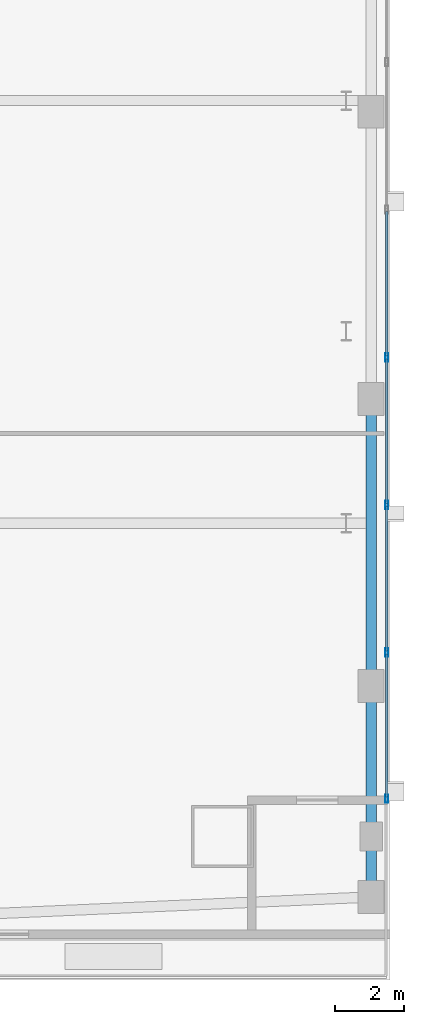
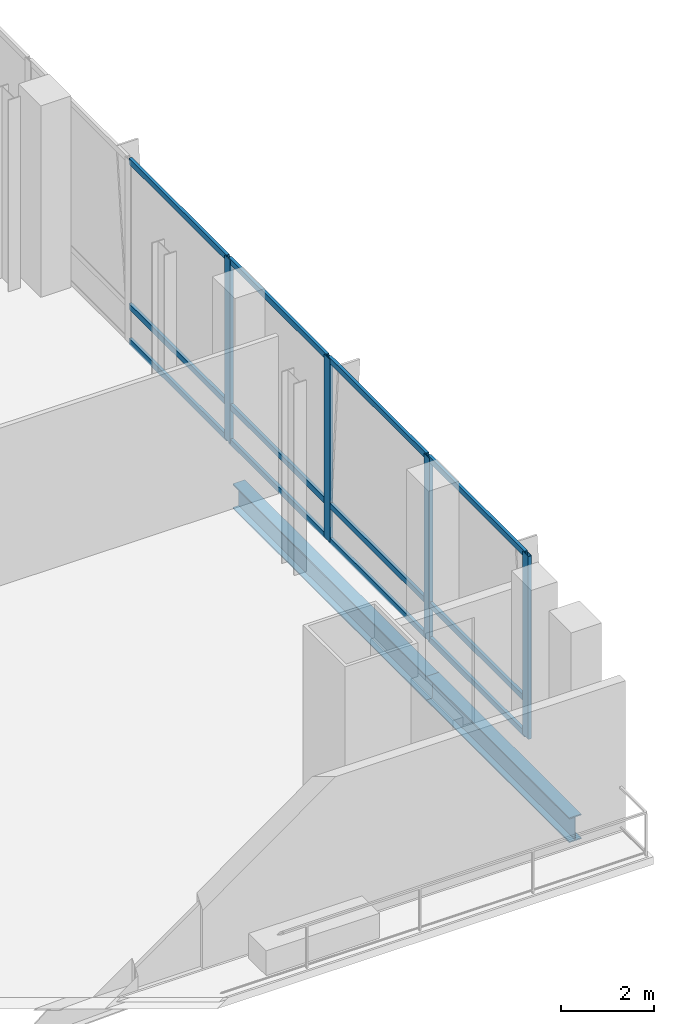
# One storey, part 14 of 25: 16 members, 2 beams, 1 element without a shape of its own.
"""IFC4 building model written with IfcOpenShell, lengths in metres."""

from ifc_helpers import new_model, si_unit, direction, frame, origin, origin_2d, place, context, subcontext, project, spatial, hollow_rectangle, i_section, extrude, material, material_profile, profile_set, type_object, element, aggregate, save


model = new_model("IFC4")

# Units and contexts
model_context = context("Model", 3, precision=1e-05, world=origin(), true_north=direction((0.0, 1.0)))
body_context = subcontext(model_context, "Body", "Model", "MODEL_VIEW")
ifc_project = project(units=[si_unit("LENGTHUNIT", "METRE"), si_unit("AREAUNIT", "SQUARE_METRE"), si_unit("VOLUMEUNIT", "CUBIC_METRE"), si_unit("PLANEANGLEUNIT", "RADIAN"), si_unit("MASSUNIT", "GRAM", prefix="KILO")], contexts=[model_context])

# Site, building, storey
site_placement = place(None, origin())
site = spatial("IfcSite", under=ifc_project, at=site_placement, CompositionType="ELEMENT")
building_placement = place(site_placement, origin())
building = spatial("IfcBuilding", under=site, at=building_placement, Name="Khoronbel Lancet Exchange", CompositionType="ELEMENT")
storey_placement = place(building_placement, frame((0.0, 0.0, 15.39990234375)))
storey = spatial("IfcBuildingStorey", under=building, at=storey_placement, Name="L03", CompositionType="ELEMENT", Elevation=15.39990234375)

# Beams
ifc_material_1 = material(Name="Steel S355", Category="steel")
ifc_material_profile_1 = material_profile(ifc_material_1, i_section(OverallWidth=0.300048828125, OverallDepth=0.64990234375, WebThickness=0.01611328125, FlangeThickness=0.031005859375, at=origin_2d()), Name="HEB 650")
ifc_profile_set_1 = profile_set([ifc_material_profile_1], Name="Steel S355")
beam_type = type_object("IfcBeamType", Name="BM-BSP1", PredefinedType="SPANDREL", material=ifc_profile_set_1)
beam_1_placement = place(storey_placement, frame((72.35009765625, 8.39990234375, -0.52490234375), z_axis=(0.0, 1.0, 0.0), x_axis=(-1.0, 0.0, 0.0)))
element("IfcBeam", 1, at=beam_1_placement, inside=storey, type_object=beam_type, Name="Level L03 perimeter spandrel beam SP08", PredefinedType="SPANDREL", context=body_context, shape_type="SweptSolid", body=[
    extrude(i_section(OverallWidth=0.300048828125, OverallDepth=0.64990234375, WebThickness=0.01611328125, FlangeThickness=0.031005859375, at=origin_2d()), origin(), (0.0, 0.0, 1.0), 6.10009765625),
])
beam_2_placement = place(storey_placement, frame((72.35009765625, 14.5, -0.52490234375), z_axis=(0.0, 1.0, 0.0), x_axis=(-1.0, 0.0, 0.0)))
element("IfcBeam", 2, at=beam_2_placement, inside=storey, type_object=beam_type, Name="Level L03 perimeter spandrel beam SP09", PredefinedType="SPANDREL", context=body_context, shape_type="SweptSolid", body=[
    extrude(i_section(OverallWidth=0.300048828125, OverallDepth=0.64990234375, WebThickness=0.01611328125, FlangeThickness=0.031005859375, at=origin_2d()), origin(), (0.0, 0.0, 1.0), 8.300048828125),
])

# Curtain wall, members
ifc_material_2 = material(Name="Low-E Solar Control Insulating Glass", Category="glass")
curtain_wall_type = type_object("IfcCurtainWallType", Name="CW-5", PredefinedType="NOTDEFINED", material=ifc_material_2)
curtain_wall_placement = place(storey_placement, origin())
curtain_wall = element("IfcCurtainWall", 3, at=curtain_wall_placement, inside=storey, type_object=curtain_wall_type, Name="Unitised curtain wall CW-L03-EAST", PredefinedType="NOTDEFINED")
ifc_material_3 = material(Name="Bronze-Anodised Aluminium 6063-T6", Category="aluminium")
ifc_material_profile_2 = material_profile(ifc_material_3, hollow_rectangle(XDim=0.0849609375, YDim=0.239990234375, WallThickness=0.006103515625, at=origin_2d()), Name="ALU MULLION 85x240")
ifc_profile_set_2 = profile_set([ifc_material_profile_2], Name="Bronze-Anodised Aluminium 6063-T6")
member_type_1 = type_object("IfcMemberType", Name="MEM-CWM1", PredefinedType="MULLION", material=ifc_profile_set_2)
member_1_placement = place(storey_placement, frame((72.800048828125, 11.242431640625, 0.0), z_axis=(0.0, 0.0, 1.0), x_axis=(-1.0, 0.0, 0.0)))
member_1 = element("IfcMember", 4, at=member_1_placement, type_object=member_type_1, Name="CW5 mullion 1", PredefinedType="MULLION", context=body_context, shape_type="SweptSolid", body=[
    extrude(hollow_rectangle(XDim=0.0849609375, YDim=0.239990234375, WallThickness=0.006103515625, at=origin_2d()), origin(), (0.0, 0.0, 1.0), 4.780029296875),
])
member_2_placement = place(storey_placement, frame((72.800048828125, 15.466552734375, 0.0), z_axis=(0.0, 0.0, 1.0), x_axis=(-1.0, 0.0, 0.0)))
member_2 = element("IfcMember", 5, at=member_2_placement, type_object=member_type_1, Name="CW5 mullion 2", PredefinedType="MULLION", context=body_context, shape_type="SweptSolid", body=[
    extrude(hollow_rectangle(XDim=0.0849609375, YDim=0.239990234375, WallThickness=0.006103515625, at=origin_2d()), origin(), (0.0, 0.0, 1.0), 4.780029296875),
])
member_3_placement = place(storey_placement, frame((72.800048828125, 19.7333984375, 0.0), z_axis=(0.0, 0.0, 1.0), x_axis=(-1.0, 0.0, 0.0)))
member_3 = element("IfcMember", 6, at=member_3_placement, type_object=member_type_1, Name="CW5 mullion 3", PredefinedType="MULLION", context=body_context, shape_type="SweptSolid", body=[
    extrude(hollow_rectangle(XDim=0.0849609375, YDim=0.239990234375, WallThickness=0.006103515625, at=origin_2d()), origin(), (0.0, 0.0, 1.0), 4.780029296875),
])
member_4_placement = place(storey_placement, frame((72.800048828125, 24.0, 0.0), z_axis=(0.0, 0.0, 1.0), x_axis=(-1.0, 0.0, 0.0)))
member_4 = element("IfcMember", 7, at=member_4_placement, type_object=member_type_1, Name="CW5 mullion 4", PredefinedType="MULLION", context=body_context, shape_type="SweptSolid", body=[
    extrude(hollow_rectangle(XDim=0.0849609375, YDim=0.239990234375, WallThickness=0.006103515625, at=origin_2d()), origin(), (0.0, 0.0, 1.0), 4.780029296875),
])
ifc_material_profile_3 = material_profile(ifc_material_3, hollow_rectangle(XDim=0.074951171875, YDim=0.14990234375, WallThickness=0.00439453125, at=origin_2d()), Name="ALU TRANSOM 75x150")
ifc_profile_set_3 = profile_set([ifc_material_profile_3], Name="Bronze-Anodised Aluminium 6063-T6")
member_type_2 = type_object("IfcMemberType", Name="MEM-CWT2", PredefinedType="USERDEFINED", material=ifc_profile_set_3)
member_5_placement = place(storey_placement, frame((72.800048828125, 11.284912109375, 0.03759765625), z_axis=(0.0, 1.0, 0.0), x_axis=(-1.0, 0.0, 0.0)))
member_5 = element("IfcMember", 8, at=member_5_placement, type_object=member_type_2, Name="CW5 transom 1.1", ObjectType="TRANSOM", PredefinedType="USERDEFINED", context=body_context, shape_type="SweptSolid", body=[
    extrude(hollow_rectangle(XDim=0.074951171875, YDim=0.14990234375, WallThickness=0.00439453125, at=origin_2d()), origin(), (0.0, 0.0, 1.0), 4.13916015625),
])
member_6_placement = place(storey_placement, frame((72.800048828125, 11.284912109375, 0.9501953125), z_axis=(0.0, 1.0, 0.0), x_axis=(-1.0, 0.0, 0.0)))
member_6 = element("IfcMember", 9, at=member_6_placement, type_object=member_type_2, Name="CW5 transom 1.2", ObjectType="TRANSOM", PredefinedType="USERDEFINED", context=body_context, shape_type="SweptSolid", body=[
    extrude(hollow_rectangle(XDim=0.074951171875, YDim=0.14990234375, WallThickness=0.00439453125, at=origin_2d()), origin(), (0.0, 0.0, 1.0), 4.13916015625),
])
member_7_placement = place(storey_placement, frame((72.800048828125, 11.284912109375, 4.74267578125), z_axis=(0.0, 1.0, 0.0), x_axis=(-1.0, 0.0, 0.0)))
member_7 = element("IfcMember", 10, at=member_7_placement, type_object=member_type_2, Name="CW5 transom 1.3", ObjectType="TRANSOM", PredefinedType="USERDEFINED", context=body_context, shape_type="SweptSolid", body=[
    extrude(hollow_rectangle(XDim=0.074951171875, YDim=0.14990234375, WallThickness=0.00439453125, at=origin_2d()), origin(), (0.0, 0.0, 1.0), 4.13916015625),
])
member_8_placement = place(storey_placement, frame((72.800048828125, 15.50927734375, 0.03759765625), z_axis=(0.0, 1.0, 0.0), x_axis=(-1.0, 0.0, 0.0)))
member_8 = element("IfcMember", 11, at=member_8_placement, type_object=member_type_2, Name="CW5 transom 2.1", ObjectType="TRANSOM", PredefinedType="USERDEFINED", context=body_context, shape_type="SweptSolid", body=[
    extrude(hollow_rectangle(XDim=0.074951171875, YDim=0.14990234375, WallThickness=0.00439453125, at=origin_2d()), origin(), (0.0, 0.0, 1.0), 4.181640625),
])
member_9_placement = place(storey_placement, frame((72.800048828125, 15.50927734375, 0.9501953125), z_axis=(0.0, 1.0, 0.0), x_axis=(-1.0, 0.0, 0.0)))
member_9 = element("IfcMember", 12, at=member_9_placement, type_object=member_type_2, Name="CW5 transom 2.2", ObjectType="TRANSOM", PredefinedType="USERDEFINED", context=body_context, shape_type="SweptSolid", body=[
    extrude(hollow_rectangle(XDim=0.074951171875, YDim=0.14990234375, WallThickness=0.00439453125, at=origin_2d()), origin(), (0.0, 0.0, 1.0), 4.181640625),
])
member_10_placement = place(storey_placement, frame((72.800048828125, 15.50927734375, 4.74267578125), z_axis=(0.0, 1.0, 0.0), x_axis=(-1.0, 0.0, 0.0)))
member_10 = element("IfcMember", 13, at=member_10_placement, type_object=member_type_2, Name="CW5 transom 2.3", ObjectType="TRANSOM", PredefinedType="USERDEFINED", context=body_context, shape_type="SweptSolid", body=[
    extrude(hollow_rectangle(XDim=0.074951171875, YDim=0.14990234375, WallThickness=0.00439453125, at=origin_2d()), origin(), (0.0, 0.0, 1.0), 4.181640625),
])
member_11_placement = place(storey_placement, frame((72.800048828125, 19.77587890625, 0.03759765625), z_axis=(0.0, 1.0, 0.0), x_axis=(-1.0, 0.0, 0.0)))
member_11 = element("IfcMember", 14, at=member_11_placement, type_object=member_type_2, Name="CW5 transom 3.1", ObjectType="TRANSOM", PredefinedType="USERDEFINED", context=body_context, shape_type="SweptSolid", body=[
    extrude(hollow_rectangle(XDim=0.074951171875, YDim=0.14990234375, WallThickness=0.00439453125, at=origin_2d()), origin(), (0.0, 0.0, 1.0), 4.181640625),
])
member_12_placement = place(storey_placement, frame((72.800048828125, 19.77587890625, 0.9501953125), z_axis=(0.0, 1.0, 0.0), x_axis=(-1.0, 0.0, 0.0)))
member_12 = element("IfcMember", 15, at=member_12_placement, type_object=member_type_2, Name="CW5 transom 3.2", ObjectType="TRANSOM", PredefinedType="USERDEFINED", context=body_context, shape_type="SweptSolid", body=[
    extrude(hollow_rectangle(XDim=0.074951171875, YDim=0.14990234375, WallThickness=0.00439453125, at=origin_2d()), origin(), (0.0, 0.0, 1.0), 4.181640625),
])
member_13_placement = place(storey_placement, frame((72.800048828125, 19.77587890625, 4.74267578125), z_axis=(0.0, 1.0, 0.0), x_axis=(-1.0, 0.0, 0.0)))
member_13 = element("IfcMember", 16, at=member_13_placement, type_object=member_type_2, Name="CW5 transom 3.3", ObjectType="TRANSOM", PredefinedType="USERDEFINED", context=body_context, shape_type="SweptSolid", body=[
    extrude(hollow_rectangle(XDim=0.074951171875, YDim=0.14990234375, WallThickness=0.00439453125, at=origin_2d()), origin(), (0.0, 0.0, 1.0), 4.181640625),
])
member_14_placement = place(storey_placement, frame((72.800048828125, 24.04248046875, 0.03759765625), z_axis=(0.0, 1.0, 0.0), x_axis=(-1.0, 0.0, 0.0)))
member_14 = element("IfcMember", 17, at=member_14_placement, type_object=member_type_2, Name="CW5 transom 4.1", ObjectType="TRANSOM", PredefinedType="USERDEFINED", context=body_context, shape_type="SweptSolid", body=[
    extrude(hollow_rectangle(XDim=0.074951171875, YDim=0.14990234375, WallThickness=0.00439453125, at=origin_2d()), origin(), (0.0, 0.0, 1.0), 4.181640625),
])
member_15_placement = place(storey_placement, frame((72.800048828125, 24.04248046875, 0.9501953125), z_axis=(0.0, 1.0, 0.0), x_axis=(-1.0, 0.0, 0.0)))
member_15 = element("IfcMember", 18, at=member_15_placement, type_object=member_type_2, Name="CW5 transom 4.2", ObjectType="TRANSOM", PredefinedType="USERDEFINED", context=body_context, shape_type="SweptSolid", body=[
    extrude(hollow_rectangle(XDim=0.074951171875, YDim=0.14990234375, WallThickness=0.00439453125, at=origin_2d()), origin(), (0.0, 0.0, 1.0), 4.181640625),
])
member_16_placement = place(storey_placement, frame((72.800048828125, 24.04248046875, 4.74267578125), z_axis=(0.0, 1.0, 0.0), x_axis=(-1.0, 0.0, 0.0)))
member_16 = element("IfcMember", 19, at=member_16_placement, type_object=member_type_2, Name="CW5 transom 4.3", ObjectType="TRANSOM", PredefinedType="USERDEFINED", context=body_context, shape_type="SweptSolid", body=[
    extrude(hollow_rectangle(XDim=0.074951171875, YDim=0.14990234375, WallThickness=0.00439453125, at=origin_2d()), origin(), (0.0, 0.0, 1.0), 4.181640625),
])
aggregate(curtain_wall, [member_1, member_2, member_3, member_4, member_5, member_6, member_7, member_8, member_9, member_10, member_11, member_12, member_13, member_14, member_15, member_16])

save(model, "model.ifc")
